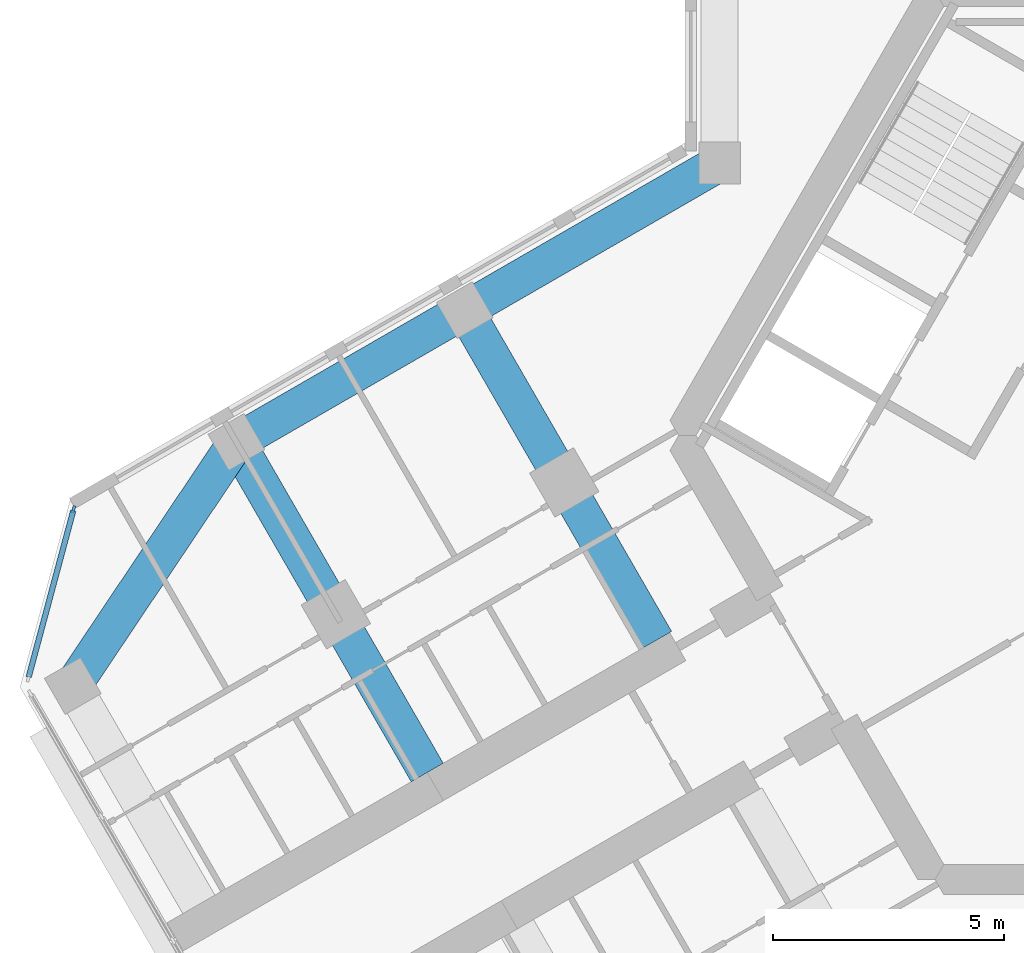
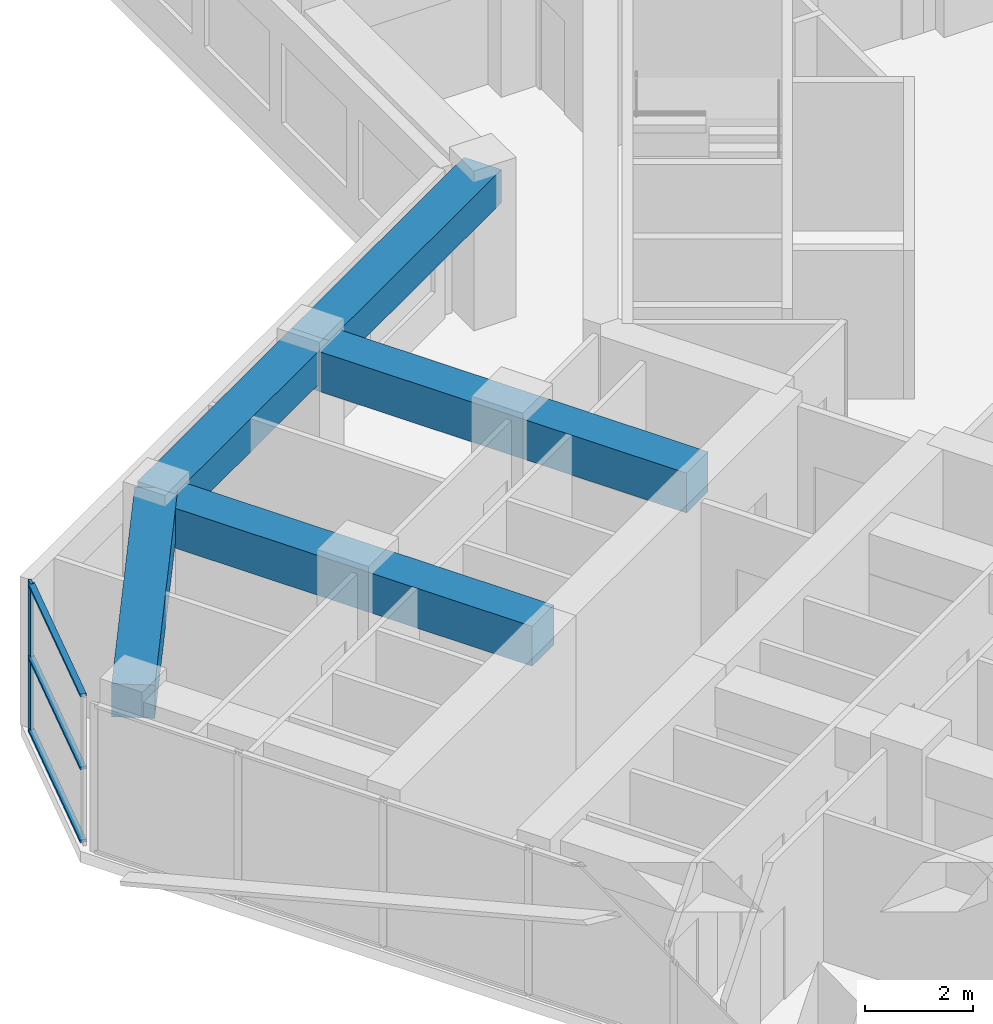
# One storey, part 3 of 16: 5 beams, 4 members, 1 element without a shape of its own.
"""IFC4 building model written with IfcOpenShell, lengths in metres."""

from ifc_helpers import new_model, si_unit, direction, frame, origin, origin_2d, place, context, subcontext, project, spatial, rectangle, extrude, material, material_profile, profile_set, type_object, element, aggregate, save


model = new_model("IFC4")

# Units and contexts
model_context = context("Model", 3, precision=1e-05, world=origin(), true_north=direction((0.0, 1.0)))
body_context = subcontext(model_context, "Body", "Model", "MODEL_VIEW")
ifc_project = project(units=[si_unit("LENGTHUNIT", "METRE"), si_unit("AREAUNIT", "SQUARE_METRE"), si_unit("VOLUMEUNIT", "CUBIC_METRE"), si_unit("PLANEANGLEUNIT", "RADIAN"), si_unit("MASSUNIT", "GRAM", prefix="KILO")], contexts=[model_context])

# Site, building, storey
site_placement = place(None, origin())
site = spatial("IfcSite", under=ifc_project, at=site_placement, CompositionType="ELEMENT")
building_placement = place(site_placement, origin())
building = spatial("IfcBuilding", under=site, at=building_placement, Name="Kosmar Iwan School Tower", CompositionType="ELEMENT")
storey_placement = place(building_placement, frame((0.0, 0.0, 215.39990234375)))
storey = spatial("IfcBuildingStorey", under=building, at=storey_placement, Name="L54", CompositionType="ELEMENT", Elevation=215.39990234375)

# Curtain wall, member
ifc_material_1 = material(Name="Dark glass in black aluminium frame", Category="aluminium")
curtain_wall_type = type_object("IfcCurtainWallType", Name="Chamfer curtain wall dark glass", PredefinedType="USERDEFINED", material=ifc_material_1)
curtain_wall_placement = place(storey_placement, origin())
curtain_wall = element("IfcCurtainWall", 1, at=curtain_wall_placement, inside=storey, type_object=curtain_wall_type, Name="Curtain wall L54-F10", ObjectType="FACETED CURTAIN WALL", PredefinedType="USERDEFINED")
ifc_material_2 = material(Name="Black anodised aluminium", Category="aluminium")
ifc_material_profile_1 = material_profile(ifc_material_2, rectangle(XDim=0.06005859375, YDim=0.159912109375, at=origin_2d()), Name="MULLION 60x160")
ifc_profile_set_1 = profile_set([ifc_material_profile_1], Name="Black anodised aluminium")
member_type_1 = type_object("IfcMemberType", Name="Mullion 60x160", PredefinedType="MULLION", material=ifc_profile_set_1)
member_1_placement = place(storey_placement, frame((-24.163818359375, -1.59814453125, 0.0), z_axis=(0.0, 0.0, 1.0), x_axis=(0.965925875495, -0.258818861462, 0.0)))
member_1 = element("IfcMember", 2, at=member_1_placement, type_object=member_type_1, Name="CW2 mullion 1", PredefinedType="MULLION", context=body_context, shape_type="SweptSolid", body=[
    extrude(rectangle(XDim=0.06005859375, YDim=0.159912109375, at=origin_2d()), origin(), (0.0, 0.0, 1.0), 3.35009765625),
])

# Beams
ifc_material_3 = material(Name="Concrete C50/60", Category="concrete")
ifc_material_profile_2 = material_profile(ifc_material_3, rectangle(XDim=0.800048828125, YDim=0.75, at=origin_2d()), Name="RC 800x750")
ifc_profile_set_2 = profile_set([ifc_material_profile_2], Name="Concrete C50/60")
beam_type_1 = type_object("IfcBeamType", Name="RC edge beam 800x750", PredefinedType="BEAM", material=ifc_profile_set_2)
beam_1_placement = place(storey_placement, frame((-10.199951171875, 5.888916015625, 2.97509765625), z_axis=(-0.866030912664, -0.49999045822, 0.0), x_axis=(0.49999045822, -0.866030912664, 0.0)))
element("IfcBeam", 3, at=beam_1_placement, inside=storey, type_object=beam_type_1, Name="Edge beam BR1", PredefinedType="BEAM", context=body_context, shape_type="SweptSolid", body=[
    extrude(rectangle(XDim=0.800048828125, YDim=0.75, at=origin_2d()), origin(), (0.0, 0.0, 1.0), 6.36083984375),
])
beam_2_placement = place(storey_placement, frame((-15.708740234375, 2.70849609375, 2.97509765625), z_axis=(-0.866025820012, -0.499999279071, 0.0), x_axis=(0.499999279071, -0.866025820012, 0.0)))
element("IfcBeam", 4, at=beam_2_placement, inside=storey, type_object=beam_type_1, Name="Edge beam BR2", PredefinedType="BEAM", context=body_context, shape_type="SweptSolid", body=[
    extrude(rectangle(XDim=0.800048828125, YDim=0.75, at=origin_2d()), origin(), (0.0, 0.0, 1.0), 5.7001953125),
])
ifc_material_4 = material(Name="Concrete C50/60", Category="concrete")
ifc_material_profile_3 = material_profile(ifc_material_4, rectangle(XDim=0.800048828125, YDim=0.75, at=origin_2d()), Name="RC 800x750")
ifc_profile_set_3 = profile_set([ifc_material_profile_3], Name="Concrete C50/60")
beam_type_2 = type_object("IfcBeamType", Name="RC tip beam 800x750", PredefinedType="BEAM", material=ifc_profile_set_3)
beam_3_placement = place(storey_placement, frame((-20.645263671875, -0.1416015625, 2.97509765625), z_axis=(-0.556827604145, -0.83062808721, 0.0), x_axis=(0.83062808721, -0.556827604145, 0.0)))
element("IfcBeam", 5, at=beam_3_placement, inside=storey, type_object=beam_type_2, Name="Tip beam BR", PredefinedType="BEAM", context=body_context, shape_type="SweptSolid", body=[
    extrude(rectangle(XDim=0.800048828125, YDim=0.75, at=origin_2d()), origin(), (0.0, 0.0, 1.0), 6.3505859375),
])
ifc_material_5 = material(Name="Concrete C50/60", Category="concrete")
ifc_material_profile_4 = material_profile(ifc_material_5, rectangle(XDim=0.800048828125, YDim=0.89990234375, at=origin_2d()), Name="RC 800x900")
ifc_profile_set_4 = profile_set([ifc_material_profile_4], Name="Concrete C50/60")
beam_type_3 = type_object("IfcBeamType", Name="RC transverse beam 800x900", PredefinedType="BEAM", material=ifc_profile_set_4)
beam_4_placement = place(storey_placement, frame((-15.708740234375, 2.70849609375, 2.900146484375), z_axis=(0.499996545922, -0.866027397988, 0.0), x_axis=(0.866027397988, 0.499996545922, 0.0)))
element("IfcBeam", 6, at=beam_4_placement, inside=storey, type_object=beam_type_3, Name="Transverse beam BR1", PredefinedType="BEAM", context=body_context, shape_type="SweptSolid", body=[
    extrude(rectangle(XDim=0.800048828125, YDim=0.89990234375, at=origin_2d()), origin(), (0.0, 0.0, 1.0), 8.25),
])
beam_5_placement = place(storey_placement, frame((-20.645263671875, -0.1416015625, 2.900146484375), z_axis=(0.500009360108, -0.866019999656, 0.0), x_axis=(0.866019999656, 0.500009360108, 0.0)))
element("IfcBeam", 7, at=beam_5_placement, inside=storey, type_object=beam_type_3, Name="Transverse beam BR2", PredefinedType="BEAM", context=body_context, shape_type="SweptSolid", body=[
    extrude(rectangle(XDim=0.800048828125, YDim=0.89990234375, at=origin_2d()), origin(), (0.0, 0.0, 1.0), 8.249755859375),
])

# Member
ifc_material_6 = material(Name="Black anodised aluminium", Category="aluminium")
ifc_material_profile_5 = material_profile(ifc_material_6, rectangle(XDim=0.1201171875, YDim=0.06005859375, at=origin_2d()), Name="TRANSOM 60x120")
ifc_profile_set_5 = profile_set([ifc_material_profile_5], Name="Black anodised aluminium")
member_type_2 = type_object("IfcMemberType", Name="Transom 60x120", PredefinedType="USERDEFINED", material=ifc_profile_set_5)
member_2_placement = place(storey_placement, frame((-24.17138671875, -1.627197265625, 0.030029296875), z_axis=(-0.258843273983, -0.965919333854, 0.0), x_axis=(0.965919333854, -0.258843273983, 0.0)))
member_2 = element("IfcMember", 8, at=member_2_placement, type_object=member_type_2, Name="CW2 transom 1.1", ObjectType="TRANSOM", PredefinedType="USERDEFINED", context=body_context, shape_type="SweptSolid", body=[
    extrude(rectangle(XDim=0.1201171875, YDim=0.06005859375, at=origin_2d()), origin(), (0.0, 0.0, 1.0), 3.718994140625),
])

member_3_placement = place(storey_placement, frame((-24.17138671875, -1.627197265625, 1.675048828125), z_axis=(-0.258843273983, -0.965919333854, 0.0), x_axis=(0.965919333854, -0.258843273983, 0.0)))
member_3 = element("IfcMember", 9, at=member_3_placement, type_object=member_type_2, Name="CW2 transom 1.2", ObjectType="TRANSOM", PredefinedType="USERDEFINED", context=body_context, shape_type="SweptSolid", body=[
    extrude(rectangle(XDim=0.1201171875, YDim=0.06005859375, at=origin_2d()), origin(), (0.0, 0.0, 1.0), 3.718994140625),
])

member_4_placement = place(storey_placement, frame((-24.17138671875, -1.627197265625, 3.320068359375), z_axis=(-0.258843273983, -0.965919333854, 0.0), x_axis=(0.965919333854, -0.258843273983, 0.0)))
member_4 = element("IfcMember", 10, at=member_4_placement, type_object=member_type_2, Name="CW2 transom 1.3", ObjectType="TRANSOM", PredefinedType="USERDEFINED", context=body_context, shape_type="SweptSolid", body=[
    extrude(rectangle(XDim=0.1201171875, YDim=0.06005859375, at=origin_2d()), origin(), (0.0, 0.0, 1.0), 3.718994140625),
])

aggregate(curtain_wall, [member_1, member_2, member_3, member_4])

save(model, "model.ifc")
